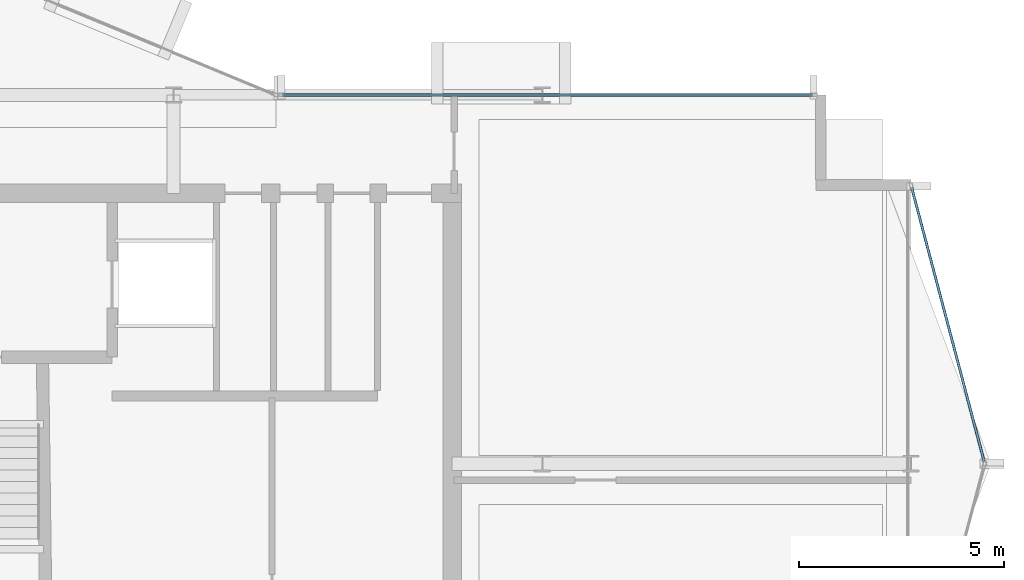
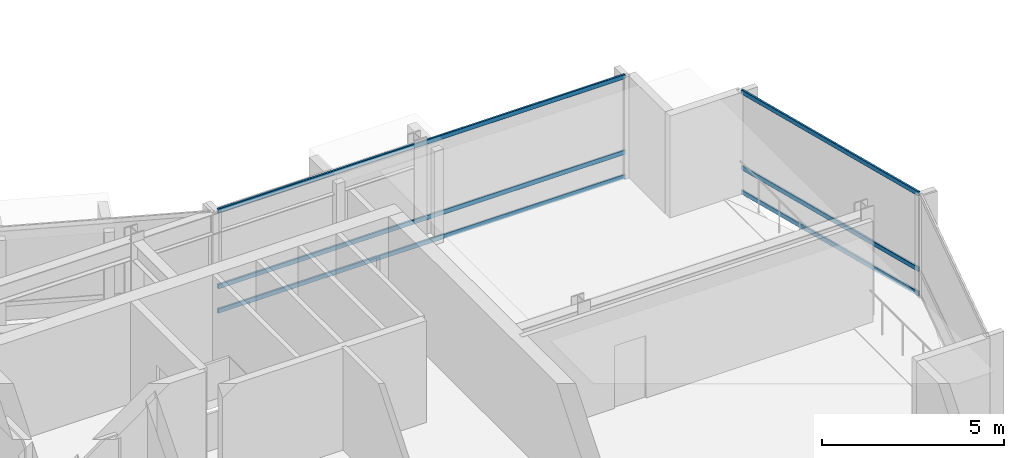
# One storey, part 13 of 27: 6 members, 2 elements without a shape of their own.
"""IFC4 building model written with IfcOpenShell, lengths in metres."""

from ifc_helpers import new_model, si_unit, direction, frame, origin, origin_2d, place, context, subcontext, project, spatial, hollow_rectangle, extrude, material, layer, layer_set, material_profile, profile_set, type_object, element, aggregate, save


model = new_model("IFC4")

# Units and contexts
model_context = context("Model", 3, precision=1e-05, world=origin(), true_north=direction((0.0, 1.0)))
body_context = subcontext(model_context, "Body", "Model", "MODEL_VIEW")
ifc_project = project(units=[si_unit("LENGTHUNIT", "METRE"), si_unit("AREAUNIT", "SQUARE_METRE"), si_unit("VOLUMEUNIT", "CUBIC_METRE"), si_unit("PLANEANGLEUNIT", "RADIAN"), si_unit("MASSUNIT", "GRAM", prefix="KILO")], contexts=[model_context])

# Site, building, storey
site_placement = place(None, origin())
site = spatial("IfcSite", under=ifc_project, at=site_placement, CompositionType="ELEMENT")
building_placement = place(site_placement, origin())
building = spatial("IfcBuilding", under=site, at=building_placement, Name="Solvaryn Broadcast Tower", CompositionType="ELEMENT")
storey_placement = place(building_placement, frame((0.0, 0.0, 228.39990234375)))
storey = spatial("IfcBuildingStorey", under=building, at=storey_placement, Name="L57", CompositionType="ELEMENT", Elevation=228.39990234375)

# Curtain wall, members
ifc_material_1 = material(Name="Aluminium and Terracotta Unitised Curtain Wall", Category="masonry")
ifc_layer = layer(ifc_material_1, 0.199951171875)
ifc_layer_set = layer_set([ifc_layer], Name="CW-SYS2-LOWMID")
curtain_wall_type = type_object("IfcCurtainWallType", Name="CW-SYS2-LOWMID", PredefinedType="NOTDEFINED", material=ifc_layer_set)
curtain_wall_1_placement = place(storey_placement, origin())
curtain_wall_1 = element("IfcCurtainWall", 1, at=curtain_wall_1_placement, inside=storey, type_object=curtain_wall_type, Name="L57 Curtain Wall ET1", PredefinedType="NOTDEFINED")
ifc_material_2 = material(Name="Anodised Aluminium 6063-T6", Category="aluminium")
ifc_material_profile = material_profile(ifc_material_2, hollow_rectangle(XDim=0.06494140625, YDim=0.14990234375, WallThickness=0.00390625, InnerFilletRadius=0.00390625, OuterFilletRadius=0.008056640625, at=origin_2d()))
ifc_profile_set = profile_set([ifc_material_profile], Name="Anodised Aluminium 6063-T6")
member_type = type_object("IfcMemberType", Name="CW-TRN-150", PredefinedType="USERDEFINED", material=ifc_profile_set)
member_1_placement = place(storey_placement, frame((54.015380859375, 24.741943359375, 0.030029296875), z_axis=(0.255897413051, -0.966703943301, 0.0), x_axis=(0.966703943301, 0.255897413051, 0.0)))
member_1 = element("IfcMember", 2, at=member_1_placement, type_object=member_type, Name="CWS2 transom 1.1", ObjectType="TRANSOM", PredefinedType="USERDEFINED", context=body_context, shape_type="SweptSolid", body=[
    extrude(hollow_rectangle(XDim=0.06494140625, YDim=0.14990234375, WallThickness=0.00390625, InnerFilletRadius=0.00390625, OuterFilletRadius=0.008056640625, at=origin_2d()), origin(), (0.0, 0.0, 1.0), 6.9140625),
])
member_2_placement = place(storey_placement, frame((54.015380859375, 24.741943359375, 0.85009765625), z_axis=(0.255897413051, -0.966703943301, 0.0), x_axis=(0.966703943301, 0.255897413051, 0.0)))
member_2 = element("IfcMember", 3, at=member_2_placement, type_object=member_type, Name="CWS2 transom 1.2", ObjectType="TRANSOM", PredefinedType="USERDEFINED", context=body_context, shape_type="SweptSolid", body=[
    extrude(hollow_rectangle(XDim=0.06494140625, YDim=0.14990234375, WallThickness=0.00390625, InnerFilletRadius=0.00390625, OuterFilletRadius=0.008056640625, at=origin_2d()), origin(), (0.0, 0.0, 1.0), 6.9140625),
])
member_3_placement = place(storey_placement, frame((54.015380859375, 24.741943359375, 3.39013671875), z_axis=(0.255897413051, -0.966703943301, 0.0), x_axis=(0.966703943301, 0.255897413051, 0.0)))
member_3 = element("IfcMember", 4, at=member_3_placement, type_object=member_type, Name="CWS2 transom 1.3", ObjectType="TRANSOM", PredefinedType="USERDEFINED", context=body_context, shape_type="SweptSolid", body=[
    extrude(hollow_rectangle(XDim=0.06494140625, YDim=0.14990234375, WallThickness=0.00390625, InnerFilletRadius=0.00390625, OuterFilletRadius=0.008056640625, at=origin_2d()), origin(), (0.0, 0.0, 1.0), 6.9140625),
])
aggregate(curtain_wall_1, [member_1, member_2, member_3])

curtain_wall_2_placement = place(storey_placement, origin())
curtain_wall_2 = element("IfcCurtainWall", 5, at=curtain_wall_2_placement, inside=storey, type_object=curtain_wall_type, Name="L57 Curtain Wall IH", PredefinedType="NOTDEFINED")
member_4_placement = place(storey_placement, frame((38.659912109375, 27.0, 0.030029296875), z_axis=(1.0, 0.0, 0.0), x_axis=(0.0, 1.0, 0.0)))
member_4 = element("IfcMember", 6, at=member_4_placement, type_object=member_type, Name="CWS2 transom 1.1", ObjectType="TRANSOM", PredefinedType="USERDEFINED", context=body_context, shape_type="SweptSolid", body=[
    extrude(hollow_rectangle(XDim=0.06494140625, YDim=0.14990234375, WallThickness=0.00390625, InnerFilletRadius=0.00390625, OuterFilletRadius=0.008056640625, at=origin_2d()), origin(), (0.0, 0.0, 1.0), 12.93017578125),
])
member_5_placement = place(storey_placement, frame((38.659912109375, 27.0, 0.85009765625), z_axis=(1.0, 0.0, 0.0), x_axis=(0.0, 1.0, 0.0)))
member_5 = element("IfcMember", 7, at=member_5_placement, type_object=member_type, Name="CWS2 transom 1.2", ObjectType="TRANSOM", PredefinedType="USERDEFINED", context=body_context, shape_type="SweptSolid", body=[
    extrude(hollow_rectangle(XDim=0.06494140625, YDim=0.14990234375, WallThickness=0.00390625, InnerFilletRadius=0.00390625, OuterFilletRadius=0.008056640625, at=origin_2d()), origin(), (0.0, 0.0, 1.0), 12.93017578125),
])
member_6_placement = place(storey_placement, frame((38.659912109375, 27.0, 3.39013671875), z_axis=(1.0, 0.0, 0.0), x_axis=(0.0, 1.0, 0.0)))
member_6 = element("IfcMember", 8, at=member_6_placement, type_object=member_type, Name="CWS2 transom 1.3", ObjectType="TRANSOM", PredefinedType="USERDEFINED", context=body_context, shape_type="SweptSolid", body=[
    extrude(hollow_rectangle(XDim=0.06494140625, YDim=0.14990234375, WallThickness=0.00390625, InnerFilletRadius=0.00390625, OuterFilletRadius=0.008056640625, at=origin_2d()), origin(), (0.0, 0.0, 1.0), 12.93017578125),
])
aggregate(curtain_wall_2, [member_4, member_5, member_6])

save(model, "model.ifc")
